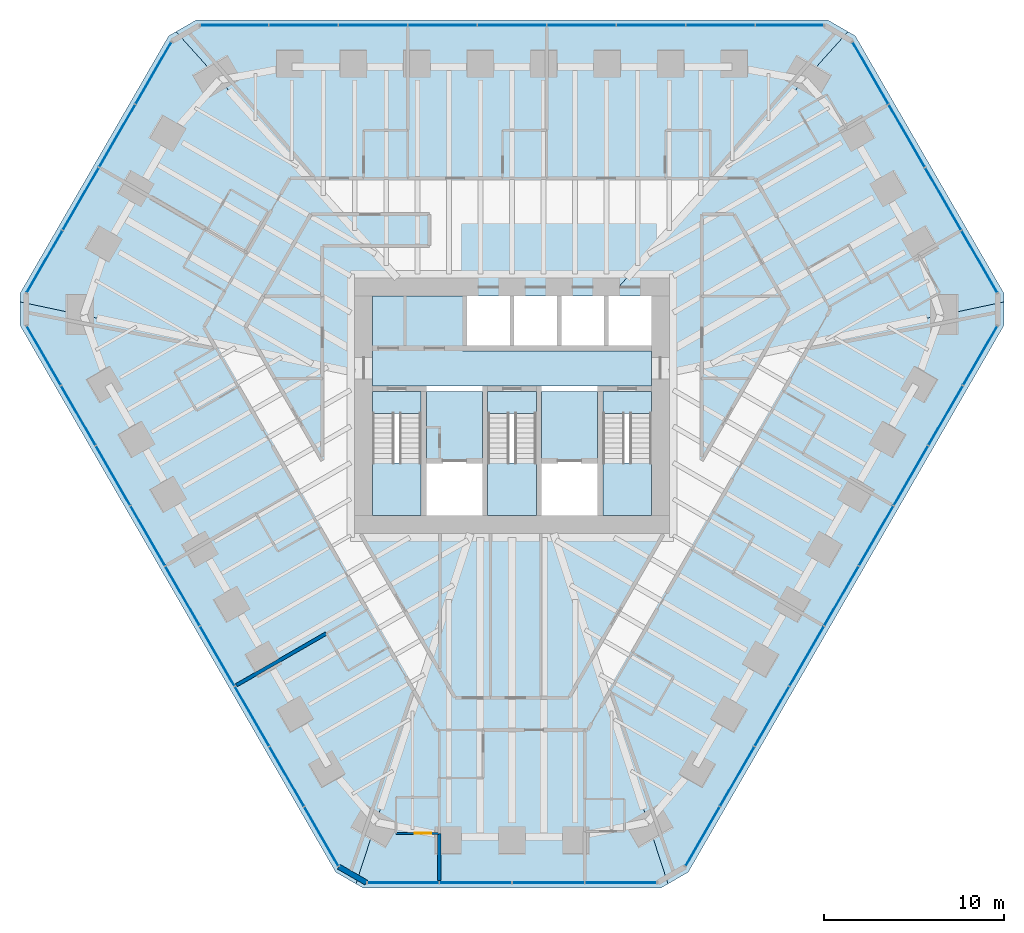
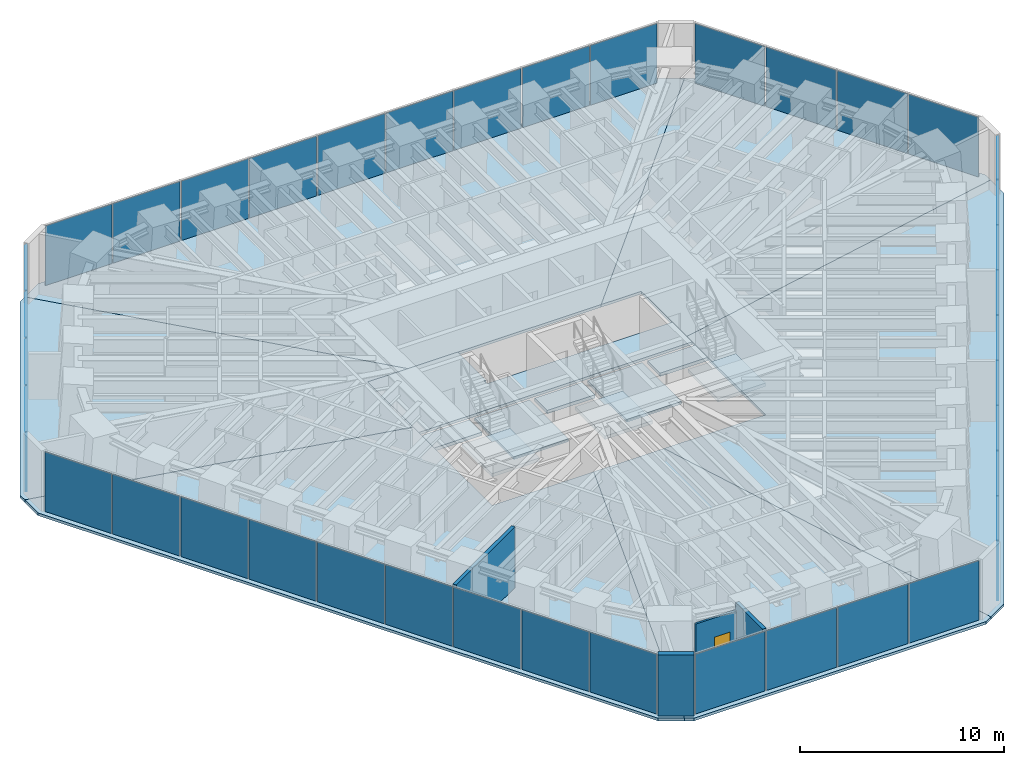
# One storey, part 10 of 16: 39 plates, 15 slabs, 4 walls, 1 door, 1 opening, 9 elements without a shape of their own.
"""IFC4 building model written with IfcOpenShell, lengths in metres."""

import ifcopenshell
import ifcopenshell.guid

model = None  # the IFC model being written
_history = None  # IfcOwnerHistory: only IFC2X3 demands one
_inside = {}  # id of a spatial element -> (the spatial element, [elements in it])
_under = {}  # id of a project, library or spatial element -> (it, [spatial elements below it])
_declared = {}  # id of a project -> (the project, [libraries it declares])
_typed = {}  # id of a type object -> (the type object, [elements of that type])
_made_of = {}  # id of a material, layer set ... -> (it, [elements and type objects made of it])


def new_model(schema):
    """Start an empty IFC model of exactly this schema.

    Asked for "IFC4X3", IfcOpenShell would pick the latest addendum, in which some entities
    have other attributes; the version numbers below select the first issue.
    IFC2X3 requires an IfcOwnerHistory on every rooted entity: one is made here for all.
    """
    global model, _history
    if schema == "IFC4X3":
        model = ifcopenshell.file(schema_version=(4, 3, 0, 0))
    else:
        model = ifcopenshell.file(schema=schema)
    _inside.clear()
    _under.clear()
    _declared.clear()
    _typed.clear()
    _made_of.clear()
    _history = None
    if model.schema == "IFC2X3":
        org = make("IfcOrganization", Name="unknown")
        user = make(
            "IfcPersonAndOrganization",
            ThePerson=make("IfcPerson", FamilyName="unknown"),
            TheOrganization=org,
        )
        app = make(
            "IfcApplication",
            ApplicationDeveloper=org,
            Version="unknown",
            ApplicationFullName="unknown",
            ApplicationIdentifier="unknown",
        )
        _history = make(
            "IfcOwnerHistory",
            OwningUser=user,
            OwningApplication=app,
            ChangeAction="ADDED",
            CreationDate=0,
        )
    return model


def make(cls, **values):
    """One entity of the class cls with the attributes given. An attribute that is None is left unset."""
    return model.create_entity(
        cls, **{name: value for name, value in values.items() if value is not None}
    )


def rooted(cls, **values):
    """An entity with a GlobalId (a new one), such as an element, a storey or a relation."""
    return make(cls, GlobalId=ifcopenshell.guid.new(), OwnerHistory=_history, **values)


def si_unit(unit_type, name, prefix=None):
    """IfcSIUnit, for example si_unit("LENGTHUNIT", "METRE", prefix="MILLI")."""
    return make("IfcSIUnit", UnitType=unit_type, Prefix=prefix, Name=name)


def assignment(units):
    """IfcUnitAssignment: the units of a project."""
    return None if units is None else make("IfcUnitAssignment", Units=units)


def point(xyz):
    """IfcCartesianPoint."""
    return None if xyz is None else make("IfcCartesianPoint", Coordinates=xyz)


def direction(xyz):
    """IfcDirection."""
    return None if xyz is None else make("IfcDirection", DirectionRatios=xyz)


def frame(location, z_axis=None, x_axis=None):
    """IfcAxis2Placement3D, a coordinate frame: its origin and axes. An axis left out is left unset."""
    return make(
        "IfcAxis2Placement3D",
        Location=point(location),
        Axis=direction(z_axis),
        RefDirection=direction(x_axis),
    )


def frame_2d(location, x_axis=None):
    """IfcAxis2Placement2D, a coordinate frame in the plane: its origin and x axis."""
    return make(
        "IfcAxis2Placement2D", Location=point(location), RefDirection=direction(x_axis)
    )


def origin():
    """The frame at (0, 0, 0) with its axes left unset."""
    return frame((0.0, 0.0, 0.0))


def origin_2d():
    """The frame at (0, 0) in the plane with its x axis left unset."""
    return frame_2d((0.0, 0.0))


def place(relative_to, where):
    """IfcLocalPlacement: puts the frame where relative to a parent placement (None: the world)."""
    return make(
        "IfcLocalPlacement", PlacementRelTo=relative_to, RelativePlacement=where
    )


def context(
    kind, dimensions, precision=None, world=None, true_north=None, identifier=None
):
    """IfcGeometricRepresentationContext, for example the 3D "Model" context."""
    return make(
        "IfcGeometricRepresentationContext",
        ContextIdentifier=identifier,
        ContextType=kind,
        CoordinateSpaceDimension=dimensions,
        Precision=precision,
        WorldCoordinateSystem=world,
        TrueNorth=true_north,
    )


def subcontext(parent, identifier, kind, view, scale=None):
    """IfcGeometricRepresentationSubContext, for example "Body" below "Model"."""
    return make(
        "IfcGeometricRepresentationSubContext",
        ContextIdentifier=identifier,
        ContextType=kind,
        ParentContext=parent,
        TargetScale=scale,
        TargetView=view,
    )


def project(units=None, contexts=None):
    """IfcProject with its units and contexts."""
    return rooted(
        "IfcProject",
        Name="project",
        RepresentationContexts=contexts,
        UnitsInContext=assignment(units),
    )


def spatial(cls, under=None, at=None, **own):
    """A site, building, storey or space (cls), placed at a placement, below another one or the project."""
    s = rooted(cls, ObjectPlacement=at, **own)
    if under is not None:
        _under.setdefault(under.id(), (under, []))[1].append(s)
    return s


def polyline(points):
    """IfcPolyline through the points."""
    return make("IfcPolyline", Points=[point(p) for p in points])


def profile(cls, at=None, kind="AREA", **sizes):
    """A parametric profile (cls). Its sizes go by their IFC names, for example OverallWidth=200.0."""
    return make(cls, ProfileType=kind, Position=at, **sizes)


def rectangle(**sizes):
    """IfcRectangleProfileDef."""
    return profile("IfcRectangleProfileDef", **sizes)


def outline(outer, holes=None, kind="AREA"):
    """IfcArbitraryClosedProfileDef: a profile drawn as a closed curve; with holes, ...WithVoids."""
    if holes is None:
        return make("IfcArbitraryClosedProfileDef", ProfileType=kind, OuterCurve=outer)
    return make(
        "IfcArbitraryProfileDefWithVoids",
        ProfileType=kind,
        OuterCurve=outer,
        InnerCurves=holes,
    )


def extrude(swept, where, along, depth):
    """IfcExtrudedAreaSolid: the profile swept, set in the frame where, extruded along a direction by depth."""
    return make(
        "IfcExtrudedAreaSolid",
        SweptArea=swept,
        Position=where,
        ExtrudedDirection=direction(along),
        Depth=depth,
    )


def shape(context_of_items, identifier, shape_type, items):
    """IfcShapeRepresentation: the items that make up one representation, for example the "Body"."""
    return make(
        "IfcShapeRepresentation",
        ContextOfItems=context_of_items,
        RepresentationIdentifier=identifier,
        RepresentationType=shape_type,
        Items=items,
    )


def material(Name=None, Category=None):
    """IfcMaterial."""
    return make("IfcMaterial", Name=Name, Category=Category)


def layer(
    of_material, thickness, ventilated=None, Name=None, Category=None, Priority=None
):
    """IfcMaterialLayer: one layer of a wall or slab, of a material (None: an air gap)."""
    return make(
        "IfcMaterialLayer",
        Material=of_material,
        LayerThickness=thickness,
        IsVentilated=ventilated,
        Name=Name,
        Category=Category,
        Priority=Priority,
    )


def layer_set(layers, Name=None):
    """IfcMaterialLayerSet."""
    return make("IfcMaterialLayerSet", MaterialLayers=layers, LayerSetName=Name)


def made_of(thing, what):
    """Note that an element or type object is made of a material, layer set ...; save() writes the relation."""
    if what is not None:
        _made_of.setdefault(what.id(), (what, []))[1].append(thing)
    return thing


def type_object(cls, material=None, **own):
    """A type object (cls), such as IfcWallType, which elements share."""
    return made_of(rooted(cls, **own), material)


def element(
    cls,
    number,
    at=None,
    inside=None,
    cuts=None,
    type_object=None,
    material=None,
    context=None,
    identifier="Body",
    shape_type=None,
    held_by="IfcProductDefinitionShape",
    body=None,
    shapes=None,
    **own,
):
    """One element of the class cls, such as IfcWall. Its Tag is "e" and its number.

    at: its placement. inside: the storey or other place that contains it. cuts: it is an
    opening in that element (IfcRelVoidsElement). A single representation is given by context,
    identifier, shape_type and body (its items); several are given by shapes. held_by: the class
    of the entity that holds the representations. save() writes the other relations.
    """
    e = rooted(cls, Tag="e%d" % number, ObjectPlacement=at, **own)
    if body is not None:
        shapes = [shape(context, identifier, shape_type, body)]
    if shapes is not None:
        e.Representation = make(held_by, Representations=shapes)
    if inside is not None:
        _inside.setdefault(inside.id(), (inside, []))[1].append(e)
    if cuts is not None:
        rooted(
            "IfcRelVoidsElement", RelatingBuildingElement=cuts, RelatedOpeningElement=e
        )
    if type_object is not None:
        _typed.setdefault(type_object.id(), (type_object, []))[1].append(e)
    return made_of(e, material)


def fill(opening, filler):
    """IfcRelFillsElement: the door or window that sits in an opening."""
    return rooted(
        "IfcRelFillsElement",
        RelatingOpeningElement=opening,
        RelatedBuildingElement=filler,
    )


def aggregate(whole, parts):
    """IfcRelAggregates: a whole, such as a stair, and the parts it consists of."""
    return rooted("IfcRelAggregates", RelatingObject=whole, RelatedObjects=parts)


def save(model, path):
    """Write the relations noted so far, then the file.

    IfcRelAggregates (storeys below a building ...), IfcRelContainedInSpatialStructure (elements
    in a storey), IfcRelDefinesByType, IfcRelAssociatesMaterial and IfcRelDeclares: one each for
    every whole, place, type object, material and project.
    """
    for whole, parts in _under.values():
        aggregate(whole, parts)
    for where, things in _inside.values():
        rooted(
            "IfcRelContainedInSpatialStructure",
            RelatedElements=things,
            RelatingStructure=where,
        )
    for kind, things in _typed.values():
        rooted("IfcRelDefinesByType", RelatedObjects=things, RelatingType=kind)
    for what, things in _made_of.values():
        rooted("IfcRelAssociatesMaterial", RelatedObjects=things, RelatingMaterial=what)
    for by, libraries in _declared.values():
        rooted("IfcRelDeclares", RelatingContext=by, RelatedDefinitions=libraries)
    model.write(path)


model = new_model("IFC4")

# Units and contexts
model_context = context("Model", 3, precision=1e-05, world=origin(), true_north=direction((0.0, 1.0)))
body_context = subcontext(model_context, "Body", "Model", "MODEL_VIEW")
ifc_project = project(units=[si_unit("LENGTHUNIT", "METRE"), si_unit("AREAUNIT", "SQUARE_METRE"), si_unit("VOLUMEUNIT", "CUBIC_METRE"), si_unit("PLANEANGLEUNIT", "RADIAN"), si_unit("MASSUNIT", "GRAM", prefix="KILO")], contexts=[model_context])

# Site, building, storey
site_placement = place(None, origin())
site = spatial("IfcSite", under=ifc_project, at=site_placement, CompositionType="ELEMENT")
building_placement = place(site_placement, origin())
building = spatial("IfcBuilding", under=site, at=building_placement, Name="Sandreach Pilgrim Tower", CompositionType="ELEMENT")
storey_placement = place(building_placement, frame((0.0, 0.0, 247.800048828125)))
storey = spatial("IfcBuildingStorey", under=building, at=storey_placement, Name="L62", CompositionType="ELEMENT", Elevation=247.800048828125)

# Curtain wall, plates
ifc_material_1 = material(Name="Aluminium framed curtain wall", Category="aluminium")
curtain_wall_type = type_object("IfcCurtainWallType", Name="Upper hotel tower curtain wall", PredefinedType="NOTDEFINED", material=ifc_material_1)
curtain_wall_1_placement = place(storey_placement, origin())
curtain_wall_1 = element("IfcCurtainWall", 1, at=curtain_wall_1_placement, inside=storey, type_object=curtain_wall_type, Name="CW-3 L62 N", PredefinedType="NOTDEFINED")
ifc_material_2 = material(Name="Insulating glass unit 12.76 laminated + 20 argon + 12.76 laminated", Category="glass")
ifc_layer_1 = layer(ifc_material_2, 0.0458984375)
ifc_layer_set_1 = layer_set([ifc_layer_1], Name="CW-3 panel")
plate_type = type_object("IfcPlateType", Name="CW-3 panel", PredefinedType="CURTAIN_PANEL", material=ifc_layer_set_1)
plate_1_placement = place(storey_placement, frame((-15.44140625, 21.16015625, 0.0), z_axis=(0.0, 0.0, 1.0), x_axis=(1.0, 0.0, 0.0)))
plate_1 = element("IfcPlate", 2, at=plate_1_placement, type_object=plate_type, Name="CW-3 panel 1", PredefinedType="CURTAIN_PANEL", context=body_context, shape_type="SweptSolid", body=[
    extrude(rectangle(XDim=3.766845703125, YDim=0.0458984375, at=origin_2d()), origin(), (0.0, 0.0, 1.0), 3.570068359375),
])
plate_2_placement = place(storey_placement, frame((-11.59326171875, 21.16015625, 0.0), z_axis=(0.0, 0.0, 1.0), x_axis=(1.0, 0.0, 0.0)))
plate_2 = element("IfcPlate", 3, at=plate_2_placement, type_object=plate_type, Name="CW-3 panel 2", PredefinedType="CURTAIN_PANEL", context=body_context, shape_type="SweptSolid", body=[
    extrude(rectangle(XDim=3.79931640625, YDim=0.0458984375, at=origin_2d()), origin(), (0.0, 0.0, 1.0), 3.570068359375),
])
plate_3_placement = place(storey_placement, frame((-7.728759765625, 21.16015625, 0.0), z_axis=(0.0, 0.0, 1.0), x_axis=(1.0, 0.0, 0.0)))
plate_3 = element("IfcPlate", 4, at=plate_3_placement, type_object=plate_type, Name="CW-3 panel 3", PredefinedType="CURTAIN_PANEL", context=body_context, shape_type="SweptSolid", body=[
    extrude(rectangle(XDim=3.79931640625, YDim=0.0458984375, at=origin_2d()), origin(), (0.0, 0.0, 1.0), 3.570068359375),
])
plate_4_placement = place(storey_placement, frame((-3.864501953125, 21.16015625, 0.0), z_axis=(0.0, 0.0, 1.0), x_axis=(1.0, 0.0, 0.0)))
plate_4 = element("IfcPlate", 5, at=plate_4_placement, type_object=plate_type, Name="CW-3 panel 4", PredefinedType="CURTAIN_PANEL", context=body_context, shape_type="SweptSolid", body=[
    extrude(rectangle(XDim=3.79931640625, YDim=0.0458984375, at=origin_2d()), origin(), (0.0, 0.0, 1.0), 3.570068359375),
])
plate_5_placement = place(storey_placement, frame((0.0, 21.16015625, 0.0), z_axis=(0.0, 0.0, 1.0), x_axis=(1.0, 0.0, 0.0)))
plate_5 = element("IfcPlate", 6, at=plate_5_placement, type_object=plate_type, Name="CW-3 panel 5", PredefinedType="CURTAIN_PANEL", context=body_context, shape_type="SweptSolid", body=[
    extrude(rectangle(XDim=3.79931640625, YDim=0.0458984375, at=origin_2d()), origin(), (0.0, 0.0, 1.0), 3.570068359375),
])
plate_6_placement = place(storey_placement, frame((3.864501953125, 21.16015625, 0.0), z_axis=(0.0, 0.0, 1.0), x_axis=(1.0, 0.0, 0.0)))
plate_6 = element("IfcPlate", 7, at=plate_6_placement, type_object=plate_type, Name="CW-3 panel 6", PredefinedType="CURTAIN_PANEL", context=body_context, shape_type="SweptSolid", body=[
    extrude(rectangle(XDim=3.79931640625, YDim=0.0458984375, at=origin_2d()), origin(), (0.0, 0.0, 1.0), 3.570068359375),
])
plate_7_placement = place(storey_placement, frame((7.728759765625, 21.16015625, 0.0), z_axis=(0.0, 0.0, 1.0), x_axis=(1.0, 0.0, 0.0)))
plate_7 = element("IfcPlate", 8, at=plate_7_placement, type_object=plate_type, Name="CW-3 panel 7", PredefinedType="CURTAIN_PANEL", context=body_context, shape_type="SweptSolid", body=[
    extrude(rectangle(XDim=3.79931640625, YDim=0.0458984375, at=origin_2d()), origin(), (0.0, 0.0, 1.0), 3.570068359375),
])
plate_8_placement = place(storey_placement, frame((11.59326171875, 21.16015625, 0.0), z_axis=(0.0, 0.0, 1.0), x_axis=(1.0, 0.0, 0.0)))
plate_8 = element("IfcPlate", 9, at=plate_8_placement, type_object=plate_type, Name="CW-3 panel 8", PredefinedType="CURTAIN_PANEL", context=body_context, shape_type="SweptSolid", body=[
    extrude(rectangle(XDim=3.79931640625, YDim=0.0458984375, at=origin_2d()), origin(), (0.0, 0.0, 1.0), 3.570068359375),
])
plate_9_placement = place(storey_placement, frame((15.44140625, 21.16015625, 0.0), z_axis=(0.0, 0.0, 1.0), x_axis=(1.0, 0.0, 0.0)))
plate_9 = element("IfcPlate", 10, at=plate_9_placement, type_object=plate_type, Name="CW-3 panel 9", PredefinedType="CURTAIN_PANEL", context=body_context, shape_type="SweptSolid", body=[
    extrude(rectangle(XDim=3.766845703125, YDim=0.0458984375, at=origin_2d()), origin(), (0.0, 0.0, 1.0), 3.570068359375),
])
aggregate(curtain_wall_1, [plate_1, plate_2, plate_3, plate_4, plate_5, plate_6, plate_7, plate_8, plate_9])

curtain_wall_2_placement = place(storey_placement, origin())
curtain_wall_2 = element("IfcCurtainWall", 11, at=curtain_wall_2_placement, inside=storey, type_object=curtain_wall_type, Name="CW-3 L62 NE", PredefinedType="NOTDEFINED")
plate_10_placement = place(storey_placement, frame((19.943115234375, 18.5078125, 0.0), z_axis=(0.0, 0.0, 1.0), x_axis=(0.5, -0.866025403784, 0.0)))
plate_10 = element("IfcPlate", 12, at=plate_10_placement, type_object=plate_type, Name="CW-3 panel 1", PredefinedType="CURTAIN_PANEL", context=body_context, shape_type="SweptSolid", body=[
    extrude(rectangle(XDim=3.951171875, YDim=0.0458984375, at=origin_2d()), origin(), (0.0, 0.0, 1.0), 3.570068359375),
])
plate_11_placement = place(storey_placement, frame((21.959228515625, 15.015625, 0.0), z_axis=(0.0, 0.0, 1.0), x_axis=(0.5, -0.866025403784, 0.0)))
plate_11 = element("IfcPlate", 13, at=plate_11_placement, type_object=plate_type, Name="CW-3 panel 2", PredefinedType="CURTAIN_PANEL", context=body_context, shape_type="SweptSolid", body=[
    extrude(rectangle(XDim=3.983642578125, YDim=0.0458984375, at=origin_2d()), origin(), (0.0, 0.0, 1.0), 3.570068359375),
])
plate_12_placement = place(storey_placement, frame((23.983642578125, 11.509521484375, 0.0), z_axis=(0.0, 0.0, 1.0), x_axis=(0.5, -0.866025403784, 0.0)))
plate_12 = element("IfcPlate", 14, at=plate_12_placement, type_object=plate_type, Name="CW-3 panel 3", PredefinedType="CURTAIN_PANEL", context=body_context, shape_type="SweptSolid", body=[
    extrude(rectangle(XDim=3.983642578125, YDim=0.0458984375, at=origin_2d()), origin(), (0.0, 0.0, 1.0), 3.570068359375),
])
plate_13_placement = place(storey_placement, frame((25.999755859375, 8.017333984375, 0.0), z_axis=(0.0, 0.0, 1.0), x_axis=(0.5, -0.866025403784, 0.0)))
plate_13 = element("IfcPlate", 15, at=plate_13_placement, type_object=plate_type, Name="CW-3 panel 4", PredefinedType="CURTAIN_PANEL", context=body_context, shape_type="SweptSolid", body=[
    extrude(rectangle(XDim=3.951171875, YDim=0.0458984375, at=origin_2d()), origin(), (0.0, 0.0, 1.0), 3.570068359375),
])
aggregate(curtain_wall_2, [plate_10, plate_11, plate_12, plate_13])

curtain_wall_3_placement = place(storey_placement, origin())
curtain_wall_3 = element("IfcCurtainWall", 16, at=curtain_wall_3_placement, inside=storey, type_object=curtain_wall_type, Name="CW-3 L62 SE", PredefinedType="NOTDEFINED")
plate_14_placement = place(storey_placement, frame((26.0458984375, 2.792724609375, 0.0), z_axis=(0.0, 0.0, 1.0), x_axis=(-0.5, -0.866025403784, 0.0)))
plate_14 = element("IfcPlate", 17, at=plate_14_placement, type_object=plate_type, Name="CW-3 panel 1", PredefinedType="CURTAIN_PANEL", context=body_context, shape_type="SweptSolid", body=[
    extrude(rectangle(XDim=3.766845703125, YDim=0.0458984375, at=origin_2d()), origin(), (0.0, 0.0, 1.0), 3.570068359375),
])
plate_15_placement = place(storey_placement, frame((24.121826171875, -0.5400390625, 0.0), z_axis=(0.0, 0.0, 1.0), x_axis=(-0.5, -0.866025403784, 0.0)))
plate_15 = element("IfcPlate", 18, at=plate_15_placement, type_object=plate_type, Name="CW-3 panel 2", PredefinedType="CURTAIN_PANEL", context=body_context, shape_type="SweptSolid", body=[
    extrude(rectangle(XDim=3.79931640625, YDim=0.0458984375, at=origin_2d()), origin(), (0.0, 0.0, 1.0), 3.570068359375),
])
plate_16_placement = place(storey_placement, frame((22.189697265625, -3.88671875, 0.0), z_axis=(0.0, 0.0, 1.0), x_axis=(-0.5, -0.866025403784, 0.0)))
plate_16 = element("IfcPlate", 19, at=plate_16_placement, type_object=plate_type, Name="CW-3 panel 3", PredefinedType="CURTAIN_PANEL", context=body_context, shape_type="SweptSolid", body=[
    extrude(rectangle(XDim=3.79931640625, YDim=0.0458984375, at=origin_2d()), origin(), (0.0, 0.0, 1.0), 3.570068359375),
])
plate_17_placement = place(storey_placement, frame((20.25732421875, -7.2333984375, 0.0), z_axis=(0.0, 0.0, 1.0), x_axis=(-0.5, -0.866025403784, 0.0)))
plate_17 = element("IfcPlate", 20, at=plate_17_placement, type_object=plate_type, Name="CW-3 panel 4", PredefinedType="CURTAIN_PANEL", context=body_context, shape_type="SweptSolid", body=[
    extrude(rectangle(XDim=3.79931640625, YDim=0.0458984375, at=origin_2d()), origin(), (0.0, 0.0, 1.0), 3.570068359375),
])
plate_18_placement = place(storey_placement, frame((18.3251953125, -10.580078125, 0.0), z_axis=(0.0, 0.0, 1.0), x_axis=(-0.5, -0.866025403784, 0.0)))
plate_18 = element("IfcPlate", 21, at=plate_18_placement, type_object=plate_type, Name="CW-3 panel 5", PredefinedType="CURTAIN_PANEL", context=body_context, shape_type="SweptSolid", body=[
    extrude(rectangle(XDim=3.79931640625, YDim=0.0458984375, at=origin_2d()), origin(), (0.0, 0.0, 1.0), 3.570068359375),
])
plate_19_placement = place(storey_placement, frame((16.39306640625, -13.9267578125, 0.0), z_axis=(0.0, 0.0, 1.0), x_axis=(-0.5, -0.866025403784, 0.0)))
plate_19 = element("IfcPlate", 22, at=plate_19_placement, type_object=plate_type, Name="CW-3 panel 6", PredefinedType="CURTAIN_PANEL", context=body_context, shape_type="SweptSolid", body=[
    extrude(rectangle(XDim=3.79931640625, YDim=0.0458984375, at=origin_2d()), origin(), (0.0, 0.0, 1.0), 3.570068359375),
])
plate_20_placement = place(storey_placement, frame((14.460693359375, -17.2734375, 0.0), z_axis=(0.0, 0.0, 1.0), x_axis=(-0.5, -0.866025403784, 0.0)))
plate_20 = element("IfcPlate", 23, at=plate_20_placement, type_object=plate_type, Name="CW-3 panel 7", PredefinedType="CURTAIN_PANEL", context=body_context, shape_type="SweptSolid", body=[
    extrude(rectangle(XDim=3.79931640625, YDim=0.0458984375, at=origin_2d()), origin(), (0.0, 0.0, 1.0), 3.570068359375),
])
plate_21_placement = place(storey_placement, frame((12.528564453125, -20.6201171875, 0.0), z_axis=(0.0, 0.0, 1.0), x_axis=(-0.5, -0.866025403784, 0.0)))
plate_21 = element("IfcPlate", 24, at=plate_21_placement, type_object=plate_type, Name="CW-3 panel 8", PredefinedType="CURTAIN_PANEL", context=body_context, shape_type="SweptSolid", body=[
    extrude(rectangle(XDim=3.79931640625, YDim=0.0458984375, at=origin_2d()), origin(), (0.0, 0.0, 1.0), 3.570068359375),
])
plate_22_placement = place(storey_placement, frame((10.6044921875, -23.95263671875, 0.0), z_axis=(0.0, 0.0, 1.0), x_axis=(-0.5, -0.866025403784, 0.0)))
plate_22 = element("IfcPlate", 25, at=plate_22_placement, type_object=plate_type, Name="CW-3 panel 9", PredefinedType="CURTAIN_PANEL", context=body_context, shape_type="SweptSolid", body=[
    extrude(rectangle(XDim=3.766845703125, YDim=0.0458984375, at=origin_2d()), origin(), (0.0, 0.0, 1.0), 3.570068359375),
])
aggregate(curtain_wall_3, [plate_14, plate_15, plate_16, plate_17, plate_18, plate_19, plate_20, plate_21, plate_22])

curtain_wall_4_placement = place(storey_placement, origin())
curtain_wall_4 = element("IfcCurtainWall", 26, at=curtain_wall_4_placement, inside=storey, type_object=curtain_wall_type, Name="CW-3 L62 S", PredefinedType="NOTDEFINED")
plate_23_placement = place(storey_placement, frame((6.056884765625, -26.525146484375, 0.0), z_axis=(0.0, 0.0, 1.0), x_axis=(-1.0, 0.0, 0.0)))
plate_23 = element("IfcPlate", 27, at=plate_23_placement, type_object=plate_type, Name="CW-3 panel 1", PredefinedType="CURTAIN_PANEL", context=body_context, shape_type="SweptSolid", body=[
    extrude(rectangle(XDim=3.951171875, YDim=0.0458984375, at=origin_2d()), origin(), (0.0, 0.0, 1.0), 3.570068359375),
])
plate_24_placement = place(storey_placement, frame((2.0244140625, -26.525146484375, 0.0), z_axis=(0.0, 0.0, 1.0), x_axis=(-1.0, 0.0, 0.0)))
plate_24 = element("IfcPlate", 28, at=plate_24_placement, type_object=plate_type, Name="CW-3 panel 2", PredefinedType="CURTAIN_PANEL", context=body_context, shape_type="SweptSolid", body=[
    extrude(rectangle(XDim=3.983642578125, YDim=0.0458984375, at=origin_2d()), origin(), (0.0, 0.0, 1.0), 3.570068359375),
])
plate_25_placement = place(storey_placement, frame((-2.0244140625, -26.525146484375, 0.0), z_axis=(0.0, 0.0, 1.0), x_axis=(-1.0, 0.0, 0.0)))
plate_25 = element("IfcPlate", 29, at=plate_25_placement, type_object=plate_type, Name="CW-3 panel 3", PredefinedType="CURTAIN_PANEL", context=body_context, shape_type="SweptSolid", body=[
    extrude(rectangle(XDim=3.983642578125, YDim=0.0458984375, at=origin_2d()), origin(), (0.0, 0.0, 1.0), 3.570068359375),
])
plate_26_placement = place(storey_placement, frame((-6.056884765625, -26.525146484375, 0.0), z_axis=(0.0, 0.0, 1.0), x_axis=(-1.0, 0.0, 0.0)))
plate_26 = element("IfcPlate", 30, at=plate_26_placement, type_object=plate_type, Name="CW-3 panel 4", PredefinedType="CURTAIN_PANEL", context=body_context, shape_type="SweptSolid", body=[
    extrude(rectangle(XDim=3.951171875, YDim=0.0458984375, at=origin_2d()), origin(), (0.0, 0.0, 1.0), 3.570068359375),
])
aggregate(curtain_wall_4, [plate_23, plate_24, plate_25, plate_26])

curtain_wall_5_placement = place(storey_placement, origin())
curtain_wall_5 = element("IfcCurtainWall", 31, at=curtain_wall_5_placement, inside=storey, type_object=curtain_wall_type, Name="CW-3 L62 SW", PredefinedType="NOTDEFINED")
plate_27_placement = place(storey_placement, frame((-10.6044921875, -23.95263671875, 0.0), z_axis=(0.0, 0.0, 1.0), x_axis=(-0.5, 0.866025403784, 0.0)))
plate_27 = element("IfcPlate", 32, at=plate_27_placement, type_object=plate_type, Name="CW-3 panel 1", PredefinedType="CURTAIN_PANEL", context=body_context, shape_type="SweptSolid", body=[
    extrude(rectangle(XDim=3.766845703125, YDim=0.0458984375, at=origin_2d()), origin(), (0.0, 0.0, 1.0), 3.570068359375),
])
plate_28_placement = place(storey_placement, frame((-12.528564453125, -20.6201171875, 0.0), z_axis=(0.0, 0.0, 1.0), x_axis=(-0.5, 0.866025403784, 0.0)))
plate_28 = element("IfcPlate", 33, at=plate_28_placement, type_object=plate_type, Name="CW-3 panel 2", PredefinedType="CURTAIN_PANEL", context=body_context, shape_type="SweptSolid", body=[
    extrude(rectangle(XDim=3.79931640625, YDim=0.0458984375, at=origin_2d()), origin(), (0.0, 0.0, 1.0), 3.570068359375),
])
plate_29_placement = place(storey_placement, frame((-14.460693359375, -17.2734375, 0.0), z_axis=(0.0, 0.0, 1.0), x_axis=(-0.5, 0.866025403784, 0.0)))
plate_29 = element("IfcPlate", 34, at=plate_29_placement, type_object=plate_type, Name="CW-3 panel 3", PredefinedType="CURTAIN_PANEL", context=body_context, shape_type="SweptSolid", body=[
    extrude(rectangle(XDim=3.79931640625, YDim=0.0458984375, at=origin_2d()), origin(), (0.0, 0.0, 1.0), 3.570068359375),
])
plate_30_placement = place(storey_placement, frame((-16.39306640625, -13.9267578125, 0.0), z_axis=(0.0, 0.0, 1.0), x_axis=(-0.5, 0.866025403784, 0.0)))
plate_30 = element("IfcPlate", 35, at=plate_30_placement, type_object=plate_type, Name="CW-3 panel 4", PredefinedType="CURTAIN_PANEL", context=body_context, shape_type="SweptSolid", body=[
    extrude(rectangle(XDim=3.79931640625, YDim=0.0458984375, at=origin_2d()), origin(), (0.0, 0.0, 1.0), 3.570068359375),
])
plate_31_placement = place(storey_placement, frame((-18.3251953125, -10.580078125, 0.0), z_axis=(0.0, 0.0, 1.0), x_axis=(-0.5, 0.866025403784, 0.0)))
plate_31 = element("IfcPlate", 36, at=plate_31_placement, type_object=plate_type, Name="CW-3 panel 5", PredefinedType="CURTAIN_PANEL", context=body_context, shape_type="SweptSolid", body=[
    extrude(rectangle(XDim=3.79931640625, YDim=0.0458984375, at=origin_2d()), origin(), (0.0, 0.0, 1.0), 3.570068359375),
])
plate_32_placement = place(storey_placement, frame((-20.25732421875, -7.2333984375, 0.0), z_axis=(0.0, 0.0, 1.0), x_axis=(-0.5, 0.866025403784, 0.0)))
plate_32 = element("IfcPlate", 37, at=plate_32_placement, type_object=plate_type, Name="CW-3 panel 6", PredefinedType="CURTAIN_PANEL", context=body_context, shape_type="SweptSolid", body=[
    extrude(rectangle(XDim=3.79931640625, YDim=0.0458984375, at=origin_2d()), origin(), (0.0, 0.0, 1.0), 3.570068359375),
])
plate_33_placement = place(storey_placement, frame((-22.189697265625, -3.88671875, 0.0), z_axis=(0.0, 0.0, 1.0), x_axis=(-0.5, 0.866025403784, 0.0)))
plate_33 = element("IfcPlate", 38, at=plate_33_placement, type_object=plate_type, Name="CW-3 panel 7", PredefinedType="CURTAIN_PANEL", context=body_context, shape_type="SweptSolid", body=[
    extrude(rectangle(XDim=3.79931640625, YDim=0.0458984375, at=origin_2d()), origin(), (0.0, 0.0, 1.0), 3.570068359375),
])
plate_34_placement = place(storey_placement, frame((-24.121826171875, -0.5400390625, 0.0), z_axis=(0.0, 0.0, 1.0), x_axis=(-0.5, 0.866025403784, 0.0)))
plate_34 = element("IfcPlate", 39, at=plate_34_placement, type_object=plate_type, Name="CW-3 panel 8", PredefinedType="CURTAIN_PANEL", context=body_context, shape_type="SweptSolid", body=[
    extrude(rectangle(XDim=3.79931640625, YDim=0.0458984375, at=origin_2d()), origin(), (0.0, 0.0, 1.0), 3.570068359375),
])
plate_35_placement = place(storey_placement, frame((-26.0458984375, 2.792724609375, 0.0), z_axis=(0.0, 0.0, 1.0), x_axis=(-0.5, 0.866025403784, 0.0)))
plate_35 = element("IfcPlate", 40, at=plate_35_placement, type_object=plate_type, Name="CW-3 panel 9", PredefinedType="CURTAIN_PANEL", context=body_context, shape_type="SweptSolid", body=[
    extrude(rectangle(XDim=3.766845703125, YDim=0.0458984375, at=origin_2d()), origin(), (0.0, 0.0, 1.0), 3.570068359375),
])
aggregate(curtain_wall_5, [plate_27, plate_28, plate_29, plate_30, plate_31, plate_32, plate_33, plate_34, plate_35])

curtain_wall_6_placement = place(storey_placement, origin())
curtain_wall_6 = element("IfcCurtainWall", 41, at=curtain_wall_6_placement, inside=storey, type_object=curtain_wall_type, Name="CW-3 L62 NW", PredefinedType="NOTDEFINED")
plate_36_placement = place(storey_placement, frame((-25.999755859375, 8.017333984375, 0.0), z_axis=(0.0, 0.0, 1.0), x_axis=(0.5, 0.866025403784, 0.0)))
plate_36 = element("IfcPlate", 42, at=plate_36_placement, type_object=plate_type, Name="CW-3 panel 1", PredefinedType="CURTAIN_PANEL", context=body_context, shape_type="SweptSolid", body=[
    extrude(rectangle(XDim=3.951171875, YDim=0.0458984375, at=origin_2d()), origin(), (0.0, 0.0, 1.0), 3.570068359375),
])
plate_37_placement = place(storey_placement, frame((-23.983642578125, 11.509521484375, 0.0), z_axis=(0.0, 0.0, 1.0), x_axis=(0.5, 0.866025403784, 0.0)))
plate_37 = element("IfcPlate", 43, at=plate_37_placement, type_object=plate_type, Name="CW-3 panel 2", PredefinedType="CURTAIN_PANEL", context=body_context, shape_type="SweptSolid", body=[
    extrude(rectangle(XDim=3.983642578125, YDim=0.0458984375, at=origin_2d()), origin(), (0.0, 0.0, 1.0), 3.570068359375),
])
plate_38_placement = place(storey_placement, frame((-21.959228515625, 15.015625, 0.0), z_axis=(0.0, 0.0, 1.0), x_axis=(0.5, 0.866025403784, 0.0)))
plate_38 = element("IfcPlate", 44, at=plate_38_placement, type_object=plate_type, Name="CW-3 panel 3", PredefinedType="CURTAIN_PANEL", context=body_context, shape_type="SweptSolid", body=[
    extrude(rectangle(XDim=3.983642578125, YDim=0.0458984375, at=origin_2d()), origin(), (0.0, 0.0, 1.0), 3.570068359375),
])
plate_39_placement = place(storey_placement, frame((-19.943115234375, 18.5078125, 0.0), z_axis=(0.0, 0.0, 1.0), x_axis=(0.5, 0.866025403784, 0.0)))
plate_39 = element("IfcPlate", 45, at=plate_39_placement, type_object=plate_type, Name="CW-3 panel 4", PredefinedType="CURTAIN_PANEL", context=body_context, shape_type="SweptSolid", body=[
    extrude(rectangle(XDim=3.951171875, YDim=0.0458984375, at=origin_2d()), origin(), (0.0, 0.0, 1.0), 3.570068359375),
])
aggregate(curtain_wall_6, [plate_36, plate_37, plate_38, plate_39])

# Slabs
ifc_material_3 = material(Name="Concrete 8000 psi", Category="concrete")
ifc_layer_2 = layer(ifc_material_3, 0.159912109375)
ifc_layer_set_2 = layer_set([ifc_layer_2], Name="Composite floor slab 160")
slab_type_1 = type_object("IfcSlabType", Name="Composite floor slab 160", PredefinedType="FLOOR", material=ifc_layer_set_2)
slab_1_placement = place(storey_placement, frame((0.0, 0.0, -0.16015625)))
element("IfcSlab", 46, at=slab_1_placement, inside=storey, type_object=slab_type_1, Name="Floor slab L62 N sector", PredefinedType="FLOOR", context=body_context, shape_type="SweptSolid", body=[
    extrude(outline(polyline([(-17.56298828125, 21.460205078125), (17.56298828125, 21.460205078125), (18.68701171875, 20.81103515625), (5.477294921875, 6.10009765625), (-5.477294921875, 6.10009765625), (-18.68701171875, 20.81103515625), (-17.56298828125, 21.460205078125)])), origin(), (0.0, 0.0, 1.0), 0.16015625),
])
slab_2_placement = place(storey_placement, frame((0.0, 0.0, -0.16015625)))
element("IfcSlab", 47, at=slab_2_placement, inside=storey, type_object=slab_type_1, Name="Floor slab L62 NE sector", PredefinedType="FLOOR", context=body_context, shape_type="SweptSolid", body=[
    extrude(outline(polyline([(19.095947265625, 20.5751953125), (27.366455078125, 6.25), (27.366455078125, 5.778076171875), (7.75, 1.63623046875), (7.75, 6.10009765625), (5.477294921875, 6.10009765625), (18.68701171875, 20.81103515625), (19.095947265625, 20.5751953125)])), origin(), (0.0, 0.0, 1.0), 0.16015625),
])
slab_3_placement = place(storey_placement, frame((0.0, 0.0, -0.16015625)))
element("IfcSlab", 48, at=slab_3_placement, inside=storey, type_object=slab_type_1, Name="Floor slab L62 SE sector", PredefinedType="FLOOR", context=body_context, shape_type="SweptSolid", body=[
    extrude(outline(polyline([(27.366455078125, 4.47998046875), (9.803466796875, -25.940185546875), (8.679443359375, -26.589111328125), (1.9912109375, -6.10009765625), (7.75, -6.10009765625), (7.75, 1.63623046875), (27.366455078125, 5.778076171875), (27.366455078125, 4.47998046875)])), origin(), (0.0, 0.0, 1.0), 0.16015625),
])
slab_4_placement = place(storey_placement, frame((0.0, 0.0, -0.16015625)))
element("IfcSlab", 49, at=slab_4_placement, inside=storey, type_object=slab_type_1, Name="Floor slab L62 S sector", PredefinedType="FLOOR", context=body_context, shape_type="SweptSolid", body=[
    extrude(outline(polyline([(8.2705078125, -26.8251953125), (-8.2705078125, -26.8251953125), (-8.679443359375, -26.589111328125), (-1.9912109375, -6.10009765625), (1.9912109375, -6.10009765625), (8.679443359375, -26.589111328125), (8.2705078125, -26.8251953125)])), origin(), (0.0, 0.0, 1.0), 0.16015625),
])
slab_5_placement = place(storey_placement, frame((0.0, 0.0, -0.16015625)))
element("IfcSlab", 50, at=slab_5_placement, inside=storey, type_object=slab_type_1, Name="Floor slab L62 SW sector", PredefinedType="FLOOR", context=body_context, shape_type="SweptSolid", body=[
    extrude(outline(polyline([(-9.803466796875, -25.940185546875), (-27.366455078125, 4.47998046875), (-27.366455078125, 5.778076171875), (-7.75, 1.63623046875), (-7.75, -6.10009765625), (-1.9912109375, -6.10009765625), (-8.679443359375, -26.589111328125), (-9.803466796875, -25.940185546875)])), origin(), (0.0, 0.0, 1.0), 0.16015625),
])
slab_6_placement = place(storey_placement, frame((0.0, 0.0, -0.16015625)))
element("IfcSlab", 51, at=slab_6_placement, inside=storey, type_object=slab_type_1, Name="Floor slab L62 NW sector", PredefinedType="FLOOR", context=body_context, shape_type="SweptSolid", body=[
    extrude(outline(polyline([(-27.366455078125, 6.25), (-19.095947265625, 20.5751953125), (-18.68701171875, 20.81103515625), (-5.477294921875, 6.10009765625), (-7.75, 6.10009765625), (-7.75, 1.63623046875), (-27.366455078125, 5.778076171875), (-27.366455078125, 6.25)])), origin(), (0.0, 0.0, 1.0), 0.16015625),
])
slab_7_placement = place(storey_placement, frame((0.0, 0.0, -0.16015625)))
element("IfcSlab", 52, at=slab_7_placement, inside=storey, type_object=slab_type_1, Name="Core floor slab and stores L62", PredefinedType="FLOOR", context=body_context, shape_type="SweptSolid", body=[
    extrude(outline(polyline([(-2.75, 3.35009765625), (-2.75, 3.050048828125), (-0.125, 3.050048828125), (0.125, 3.050048828125), (2.5, 3.050048828125), (2.75, 3.050048828125), (5.125, 3.050048828125), (5.375, 3.050048828125), (7.75, 3.050048828125), (7.75, 1.10009765625), (5.050048828125, 1.10009765625), (4.75, 1.10009765625), (1.64990234375, 1.10009765625), (1.35009765625, 1.10009765625), (-1.35009765625, 1.10009765625), (-1.64990234375, 1.10009765625), (-4.75, 1.10009765625), (-5.050048828125, 1.10009765625), (-7.75, 1.10009765625), (-7.75, 6.10009765625), (-2.64990234375, 6.10009765625), (-2.64990234375, 3.35009765625), (-2.75, 3.35009765625)])), origin(), (0.0, 0.0, 1.0), 0.16015625),
])
slab_8_placement = place(storey_placement, frame((0.0, 0.0, -0.16015625)))
element("IfcSlab", 53, at=slab_8_placement, inside=storey, type_object=slab_type_1, Name="Core floor slab and stores L62 2", PredefinedType="FLOOR", context=body_context, shape_type="SweptSolid", body=[
    extrude(outline(polyline([(-1.64990234375, -3.050048828125), (-4.75, -3.050048828125), (-4.75, 0.800048828125), (-1.64990234375, 0.800048828125), (-1.64990234375, -3.050048828125)])), origin(), (0.0, 0.0, 1.0), 0.16015625),
])
slab_9_placement = place(storey_placement, frame((0.0, 0.0, -0.16015625)))
element("IfcSlab", 54, at=slab_9_placement, inside=storey, type_object=slab_type_1, Name="Core floor slab and stores L62 3", PredefinedType="FLOOR", context=body_context, shape_type="SweptSolid", body=[
    extrude(outline(polyline([(4.75, -3.050048828125), (1.64990234375, -3.050048828125), (1.64990234375, 0.800048828125), (4.75, 0.800048828125), (4.75, -3.050048828125)])), origin(), (0.0, 0.0, 1.0), 0.16015625),
])

# Stair, slabs
ifc_material_4 = material(Name="Concrete 8000 psi", Category="concrete")
stair_type = type_object("IfcStairType", Name="Core exit stair", PredefinedType="HALF_TURN_STAIR", material=ifc_material_4)
stair_1_placement = place(storey_placement, origin())
stair_1 = element("IfcStair", 55, at=stair_1_placement, inside=storey, type_object=stair_type, Name="Exit stair ST1 L62", PredefinedType="HALF_TURN_STAIR")
ifc_material_5 = material(Name="Concrete 8000 psi", Category="concrete")
ifc_layer_3 = layer(ifc_material_5, 0.199951171875)
ifc_layer_set_3 = layer_set([ifc_layer_3], Name="Core stair landing 200")
slab_type_2 = type_object("IfcSlabType", Name="Core stair landing 200", PredefinedType="LANDING", material=ifc_layer_set_3)
slab_10_placement = place(storey_placement, frame((0.0, 0.0, -0.199951171875)))
slab_10 = element("IfcSlab", 56, at=slab_10_placement, type_object=slab_type_2, Name="ST1 landing 1", PredefinedType="LANDING", context=body_context, shape_type="SweptSolid", body=[
    extrude(outline(polyline([(-7.75, -0.425048828125), (-5.050048828125, -0.425048828125), (-5.050048828125, 0.800048828125), (-7.75, 0.800048828125), (-7.75, -0.425048828125)])), origin(), (0.0, 0.0, 1.0), 0.199951171875),
])
slab_11_placement = place(storey_placement, frame((0.0, 0.0, 1.699951171875)))
slab_11 = element("IfcSlab", 57, at=slab_11_placement, type_object=slab_type_2, Name="ST1 landing 2", PredefinedType="LANDING", context=body_context, shape_type="SweptSolid", body=[
    extrude(outline(polyline([(-7.75, -6.10009765625), (-5.050048828125, -6.10009765625), (-5.050048828125, -3.175048828125), (-7.75, -3.175048828125), (-7.75, -6.10009765625)])), origin(), (0.0, 0.0, 1.0), 0.199951171875),
])
aggregate(stair_1, [slab_10, slab_11])

stair_2_placement = place(storey_placement, origin())
stair_2 = element("IfcStair", 58, at=stair_2_placement, inside=storey, type_object=stair_type, Name="Exit stair ST3 L62", PredefinedType="HALF_TURN_STAIR")
slab_12_placement = place(storey_placement, frame((0.0, 0.0, -0.199951171875)))
slab_12 = element("IfcSlab", 59, at=slab_12_placement, type_object=slab_type_2, Name="ST3 landing 1", PredefinedType="LANDING", context=body_context, shape_type="SweptSolid", body=[
    extrude(outline(polyline([(-1.35009765625, -0.425048828125), (1.35009765625, -0.425048828125), (1.35009765625, 0.800048828125), (-1.35009765625, 0.800048828125), (-1.35009765625, -0.425048828125)])), origin(), (0.0, 0.0, 1.0), 0.199951171875),
])
slab_13_placement = place(storey_placement, frame((0.0, 0.0, 1.699951171875)))
slab_13 = element("IfcSlab", 60, at=slab_13_placement, type_object=slab_type_2, Name="ST3 landing 2", PredefinedType="LANDING", context=body_context, shape_type="SweptSolid", body=[
    extrude(outline(polyline([(-1.35009765625, -6.10009765625), (1.35009765625, -6.10009765625), (1.35009765625, -3.175048828125), (-1.35009765625, -3.175048828125), (-1.35009765625, -6.10009765625)])), origin(), (0.0, 0.0, 1.0), 0.199951171875),
])
aggregate(stair_2, [slab_12, slab_13])

stair_3_placement = place(storey_placement, origin())
stair_3 = element("IfcStair", 61, at=stair_3_placement, inside=storey, type_object=stair_type, Name="Exit stair ST2 L62", PredefinedType="HALF_TURN_STAIR")
slab_14_placement = place(storey_placement, frame((0.0, 0.0, -0.199951171875)))
slab_14 = element("IfcSlab", 62, at=slab_14_placement, type_object=slab_type_2, Name="ST2 landing 1", PredefinedType="LANDING", context=body_context, shape_type="SweptSolid", body=[
    extrude(outline(polyline([(5.050048828125, -0.425048828125), (7.75, -0.425048828125), (7.75, 0.800048828125), (5.050048828125, 0.800048828125), (5.050048828125, -0.425048828125)])), origin(), (0.0, 0.0, 1.0), 0.199951171875),
])
slab_15_placement = place(storey_placement, frame((0.0, 0.0, 1.699951171875)))
slab_15 = element("IfcSlab", 63, at=slab_15_placement, type_object=slab_type_2, Name="ST2 landing 2", PredefinedType="LANDING", context=body_context, shape_type="SweptSolid", body=[
    extrude(outline(polyline([(5.050048828125, -6.10009765625), (7.75, -6.10009765625), (7.75, -3.175048828125), (5.050048828125, -3.175048828125), (5.050048828125, -6.10009765625)])), origin(), (0.0, 0.0, 1.0), 0.199951171875),
])
aggregate(stair_3, [slab_14, slab_15])

# Wall, opening, door
ifc_material_6 = material(Name="Moisture-resistant gypsum board on steel studs", Category="steel")
ifc_layer_4 = layer(ifc_material_6, 0.1201171875)
ifc_layer_set_4 = layer_set([ifc_layer_4], Name="Bathroom partition 120")
wall_type_1 = type_object("IfcWallType", Name="Bathroom partition 120", PredefinedType="PARTITIONING", material=ifc_layer_set_4)
wall_1_placement = place(storey_placement, frame((-6.449951171875, -23.780029296875, 0.0), z_axis=(0.0, 0.0, 1.0), x_axis=(1.0, 0.0, 0.0)))
wall_1 = element("IfcWall", 64, at=wall_1_placement, inside=storey, type_object=wall_type_1, Name="Bathroom partition L62-047", PredefinedType="PARTITIONING", context=body_context, shape_type="SweptSolid", body=[
    extrude(rectangle(XDim=2.39990234375, YDim=0.1201171875, at=frame_2d((1.199951171875, 0.0))), origin(), (0.0, 0.0, 1.0), 3.185302734375),
])
opening_placement = place(wall_1_placement, frame((1.050048828125, 0.0, 0.0)))
opening = element("IfcOpeningElement", 65, at=opening_placement, cuts=wall_1, Name="Opening D09-12B", PredefinedType="OPENING", context=body_context, shape_type="SweptSolid", body=[
    extrude(rectangle(XDim=0.89990234375, YDim=2.030029296875, at=frame_2d((0.449951171875, 1.01513671875))), frame((0.0, 0.06005859375, 0.0), z_axis=(0.0, -1.0, 0.0), x_axis=(1.0, 0.0, 0.0)), (0.0, 0.0, 1.0), 0.1201171875),
])
ifc_material_7 = material(Name="Timber door, steel frame", Category="steel")
door_type = type_object("IfcDoorType", Name="Bathroom door", OperationType="SINGLE_SWING_LEFT", PredefinedType="DOOR", material=ifc_material_7)
door_placement = place(opening_placement, origin())
door = element("IfcDoor", 66, at=door_placement, inside=storey, type_object=door_type, Name="Door 6212B", OperationType="SINGLE_SWING_RIGHT", OverallHeight=2.030029296875, OverallWidth=0.89990234375, PredefinedType="DOOR", context=body_context, shape_type="SweptSolid", body=[
    extrude(rectangle(XDim=0.89990234375, YDim=2.030029296875, at=frame_2d((0.449951171875, 1.01513671875))), frame((0.0, 0.02490234375, 0.0), z_axis=(0.0, -1.0, 0.0), x_axis=(1.0, 0.0, 0.0)), (0.0, 0.0, 1.0), 0.050048828125),
])
fill(opening, door)

# Walls
ifc_material_8 = material(Name="Double steel stud acoustic wall, gypsum board", Category="steel")
ifc_layer_5 = layer(ifc_material_8, 0.199951171875)
ifc_layer_set_5 = layer_set([ifc_layer_5], Name="Party wall 200")
wall_type_2 = type_object("IfcWallType", Name="Party wall 200", PredefinedType="PARTITIONING", material=ifc_layer_set_5)
wall_2_placement = place(storey_placement, frame((-15.325927734375, -15.5400390625, 0.0), z_axis=(0.0, 0.0, 1.0), x_axis=(0.866342721203, 0.499449986905, 0.0)))
element("IfcWall", 67, at=wall_2_placement, inside=storey, type_object=wall_type_2, Name="Party wall L62-015", PredefinedType="PARTITIONING", context=body_context, shape_type="SweptSolid", body=[
    extrude(rectangle(XDim=5.7666015625, YDim=0.199951171875, at=frame_2d((2.88330078125, 0.0))), origin(), (0.0, 0.0, 1.0), 3.639892578125),
])
wall_3_placement = place(storey_placement, frame((-4.050048828125, -26.409912109375, 0.0), z_axis=(0.0, 0.0, 1.0), x_axis=(0.0, 1.0, 0.0)))
element("IfcWall", 68, at=wall_3_placement, inside=storey, type_object=wall_type_2, Name="Party wall L62-057", PredefinedType="PARTITIONING", context=body_context, shape_type="SweptSolid", body=[
    extrude(rectangle(XDim=2.6298828125, YDim=0.199951171875, at=frame_2d((1.31494140625, 0.0))), origin(), (0.0, 0.0, 1.0), 3.639892578125),
])
ifc_material_9 = material(Name="Terracotta rainscreen on concrete", Category="masonry")
ifc_layer_6 = layer(ifc_material_9, 0.300048828125)
ifc_layer_set_6 = layer_set([ifc_layer_6], Name="Terracotta chamfer pier")
wall_type_3 = type_object("IfcWallType", Name="Terracotta chamfer pier", PredefinedType="SOLIDWALL", material=ifc_layer_set_6)
wall_4_placement = place(storey_placement, frame((-8.097412109375, -26.525146484375, 0.0), z_axis=(0.0, 0.0, 1.0), x_axis=(-0.866036293601, 0.499981137809, 0.0)))
element("IfcWall", 69, at=wall_4_placement, inside=storey, type_object=wall_type_3, Name="Chamfer pier L62 S", PredefinedType="SOLIDWALL", context=body_context, shape_type="SweptSolid", body=[
    extrude(rectangle(XDim=1.77001953125, YDim=0.300048828125, at=frame_2d((0.885009765625, 0.0))), origin(), (0.0, 0.0, 1.0), 3.639892578125),
])

save(model, "model.ifc")
